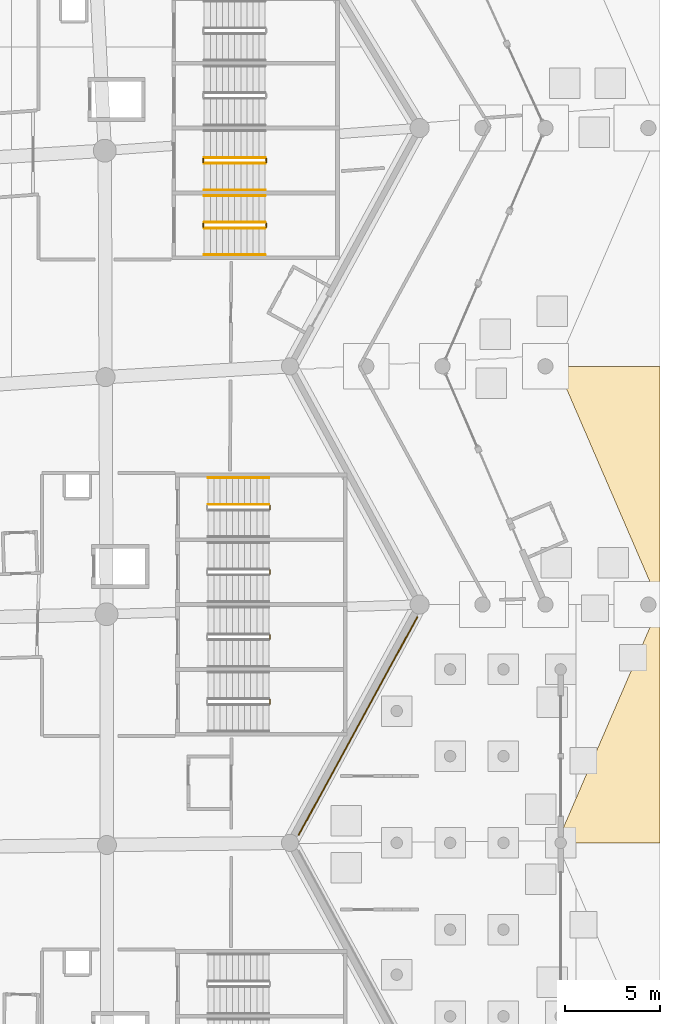
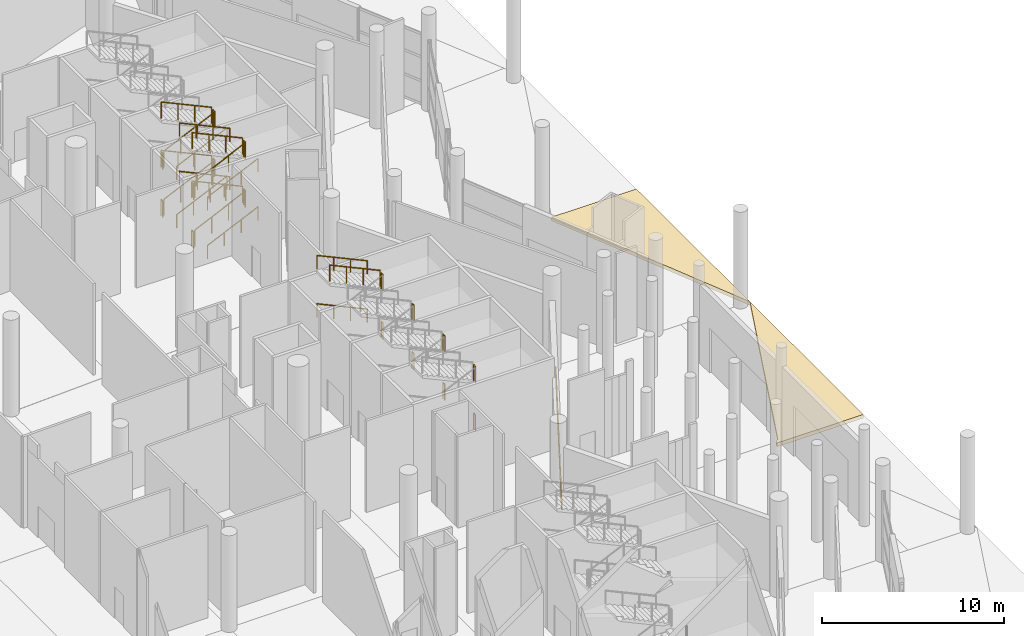
# One storey, part 243 of 255: 33 railings, 3 coverings.
"""IFC4 building model written with IfcOpenShell, lengths in metres."""

from ifc_helpers import new_model, si_unit, direction, frame, origin, origin_2d, place, context, subcontext, project, spatial, polyline, rectangle, circle, outline, extrude, material, layer, layer_set, type_object, element, save


model = new_model("IFC4")

# Units and contexts
model_context = context("Model", 3, precision=1e-05, world=origin(), true_north=direction((0.0, 1.0)))
body_context = subcontext(model_context, "Body", "Model", "MODEL_VIEW")
ifc_project = project(units=[si_unit("LENGTHUNIT", "METRE"), si_unit("AREAUNIT", "SQUARE_METRE"), si_unit("VOLUMEUNIT", "CUBIC_METRE"), si_unit("PLANEANGLEUNIT", "RADIAN"), si_unit("MASSUNIT", "GRAM", prefix="KILO")], contexts=[model_context])

# Site, building, storey
site_placement = place(None, origin())
site = spatial("IfcSite", under=ifc_project, at=site_placement, CompositionType="ELEMENT")
building_placement = place(site_placement, origin())
building = spatial("IfcBuilding", under=site, at=building_placement, Name="Meseta Stadium", CompositionType="ELEMENT")
storey_placement = place(building_placement, origin())
storey = spatial("IfcBuildingStorey", under=building, at=storey_placement, Name="L00", CompositionType="ELEMENT", Elevation=0.0)

# Coverings
ifc_material_1 = material(Name="Guadarrama granite cladding", Category="masonry")
ifc_layer_1 = layer(ifc_material_1, 0.06005859375)
ifc_layer_set_1 = layer_set([ifc_layer_1], Name="Granite plinth cladding 60")
covering_type_1 = type_object("IfcCoveringType", Name="Granite plinth cladding 60", PredefinedType="CLADDING", material=ifc_layer_set_1)
covering_1_placement = place(storey_placement, frame((98.168212890625, 12.380126953125, 0.0), z_axis=(0.0, 0.0, 1.0), x_axis=(-0.47786723231, -0.878432073802, 0.0)))
element("IfcCovering", 1, at=covering_1_placement, inside=storey, type_object=covering_type_1, Name="Granite plinth L00 F05", PredefinedType="CLADDING", context=body_context, shape_type="SweptSolid", body=[
    extrude(rectangle(XDim=13.040283203125, YDim=0.06005859375, at=origin_2d()), origin(), (0.0, 0.0, 1.0), 0.5),
])
ifc_material_2 = material(Name="Guadarrama granite paving on bedding", Category="masonry")
ifc_layer_2 = layer(ifc_material_2, 0.25)
ifc_layer_set_2 = layer_set([ifc_layer_2], Name="Ground paving 250")
covering_type_2 = type_object("IfcCoveringType", Name="Ground paving 250", PredefinedType="FLOORING", material=ifc_layer_set_2)
covering_2_placement = place(storey_placement, frame((0.0, 0.0, -0.25)))
element("IfcCovering", 2, at=covering_2_placement, inside=storey, type_object=covering_type_2, Name="Forecourt paving 37", PredefinedType="FLOORING", context=body_context, shape_type="SweptSolid", body=[
    extrude(outline(polyline([(108.497314453125, 6.25), (114.0, 6.25), (114.0, 18.75), (108.7265625, 6.54296875), (108.648681640625, 6.511962890625), (108.5859375, 6.464111328125), (108.5380859375, 6.4013671875), (108.5078125, 6.328369140625), (108.497314453125, 6.25)])), origin(), (0.0, 0.0, 1.0), 0.25),
])
covering_3_placement = place(storey_placement, frame((0.0, 0.0, -0.25)))
element("IfcCovering", 3, at=covering_3_placement, inside=storey, type_object=covering_type_2, Name="Forecourt paving 40", PredefinedType="FLOORING", context=body_context, shape_type="SweptSolid", body=[
    extrude(outline(polyline([(114.0, 18.75), (114.0, 31.25), (108.60009765625, 31.25), (114.0, 18.75)])), origin(), (0.0, 0.0, 1.0), 0.25),
])

# Railings
ifc_material_3 = material(Name="Steel S355", Category="steel")
railing_type_1 = type_object("IfcRailingType", Name="Stair guard 1100", PredefinedType="GUARDRAIL", material=ifc_material_3)
for number, where, name in (
    (4, (93.550048828125, 13.550048828125, 1.625), "ST13 L00 guard 2"),
    (5, (93.550048828125, 13.550048828125, 4.875), "ST13 L00 guard 6"),
    (6, (93.550048828125, 16.949951171875, 1.625), "ST14 L00 guard 2"),
    (7, (93.550048828125, 16.949951171875, 4.875), "ST14 L00 guard 6"),
    (8, (93.550048828125, 20.35009765625, 1.625), "ST15 L00 guard 2"),
    (9, (93.550048828125, 20.35009765625, 4.875), "ST15 L00 guard 6"),
    (10, (93.550048828125, 23.75, 1.625), "ST16 L00 guard 2"),
    (11, (93.550048828125, 23.75, 4.875), "ST16 L00 guard 6"),
):
    element("IfcRailing", number, at=place(storey_placement, frame(where)), inside=storey, type_object=railing_type_1, Name=name, PredefinedType="GUARDRAIL", context=body_context, shape_type="SweptSolid", body=[
        extrude(circle(Radius=0.02392578125, at=origin_2d()), frame((0.0, 0.0, 1.076171875), z_axis=(0.0, 1.0, 0.0), x_axis=(-1.0, 0.0, 0.0)), (0.0, 0.0, 1.0), 0.199951171875),
        extrude(circle(Radius=0.02099609375, at=origin_2d()), origin(), (0.0, 0.0, 1.0), 1.052001953125),
        extrude(circle(Radius=0.02099609375, at=origin_2d()), frame((0.0, 0.199951171875, 0.0)), (0.0, 0.0, 1.0), 1.052001953125),
    ])
railing_1_placement = place(storey_placement, frame((93.5, 24.0, 5.022705078125)))
element("IfcRailing", 12, at=railing_1_placement, inside=storey, type_object=railing_type_1, Name="ST16 L00 guard 7", PredefinedType="GUARDRAIL", context=body_context, shape_type="SweptSolid", body=[
    extrude(circle(Radius=0.02392578125, at=origin_2d()), frame((0.0, 0.0, 1.076171875), z_axis=(-0.907916804346, 0.0, 0.419150422148), x_axis=(0.0, -1.0, 0.0)), (0.0, 0.0, 1.0), 3.5244140625),
    extrude(circle(Radius=0.02099609375, at=origin_2d()), origin(), (0.0, 0.0, 1.0), 1.052001953125),
    extrude(circle(Radius=0.02099609375, at=origin_2d()), frame((-1.066650390625, 0.0, 0.492431640625)), (0.0, 0.0, 1.0), 1.052001953125),
    extrude(circle(Radius=0.02099609375, at=origin_2d()), frame((-2.13330078125, 0.0, 0.98486328125)), (0.0, 0.0, 1.0), 1.052001953125),
    extrude(circle(Radius=0.02099609375, at=origin_2d()), frame((-3.199951171875, 0.0, 1.477294921875)), (0.0, 0.0, 1.0), 1.052001953125),
])
railing_2_placement = place(storey_placement, frame((90.10009765625, 38.5, 0.147705078125)))
element("IfcRailing", 13, at=railing_2_placement, inside=storey, type_object=railing_type_1, Name="ST17 L00 guard 1", PredefinedType="GUARDRAIL", context=body_context, shape_type="SweptSolid", body=[
    extrude(circle(Radius=0.02392578125, at=origin_2d()), frame((0.0, 0.0, 1.076171875), z_axis=(0.907916804346, 0.0, 0.419150422148), x_axis=(0.0, 1.0, 0.0)), (0.0, 0.0, 1.0), 3.5244140625),
    extrude(circle(Radius=0.02099609375, at=origin_2d()), origin(), (0.0, 0.0, 1.0), 1.052001953125),
    extrude(circle(Radius=0.02099609375, at=origin_2d()), frame((1.066650390625, 0.0, 0.492431640625)), (0.0, 0.0, 1.0), 1.052001953125),
    extrude(circle(Radius=0.02099609375, at=origin_2d()), frame((2.13330078125, 0.0, 0.98486328125)), (0.0, 0.0, 1.0), 1.052001953125),
    extrude(circle(Radius=0.02099609375, at=origin_2d()), frame((3.199951171875, 0.0, 1.477294921875)), (0.0, 0.0, 1.0), 1.052001953125),
])
railing_3_placement = place(storey_placement, frame((93.35009765625, 38.550048828125, 1.625)))
element("IfcRailing", 14, at=railing_3_placement, inside=storey, type_object=railing_type_1, Name="ST17 L00 guard 2", PredefinedType="GUARDRAIL", context=body_context, shape_type="SweptSolid", body=[
    extrude(circle(Radius=0.02392578125, at=origin_2d()), frame((0.0, 0.0, 1.076171875), z_axis=(0.0, 1.0, 0.0), x_axis=(-1.0, 0.0, 0.0)), (0.0, 0.0, 1.0), 0.199951171875),
    extrude(circle(Radius=0.02099609375, at=origin_2d()), origin(), (0.0, 0.0, 1.0), 1.052001953125),
    extrude(circle(Radius=0.02099609375, at=origin_2d()), frame((0.0, 0.199951171875, 0.0)), (0.0, 0.0, 1.0), 1.052001953125),
])
railing_4_placement = place(storey_placement, frame((93.300048828125, 38.800048828125, 1.772705078125)))
element("IfcRailing", 15, at=railing_4_placement, inside=storey, type_object=railing_type_1, Name="ST17 L00 guard 3", PredefinedType="GUARDRAIL", context=body_context, shape_type="SweptSolid", body=[
    extrude(circle(Radius=0.02392578125, at=origin_2d()), frame((0.0, 0.0, 1.076171875), z_axis=(-0.907916804346, 0.0, 0.419150422148), x_axis=(0.0, -1.0, 0.0)), (0.0, 0.0, 1.0), 3.5244140625),
    extrude(circle(Radius=0.02099609375, at=origin_2d()), origin(), (0.0, 0.0, 1.0), 1.052001953125),
    extrude(circle(Radius=0.02099609375, at=origin_2d()), frame((-1.066650390625, 0.0, 0.492431640625)), (0.0, 0.0, 1.0), 1.052001953125),
    extrude(circle(Radius=0.02099609375, at=origin_2d()), frame((-2.13330078125, 0.0, 0.98486328125)), (0.0, 0.0, 1.0), 1.052001953125),
    extrude(circle(Radius=0.02099609375, at=origin_2d()), frame((-3.199951171875, 0.0, 1.477294921875)), (0.0, 0.0, 1.0), 1.052001953125),
])
railing_5_placement = place(storey_placement, frame((90.050048828125, 38.550048828125, 3.25)))
element("IfcRailing", 16, at=railing_5_placement, inside=storey, type_object=railing_type_1, Name="ST17 L00 guard 4", PredefinedType="GUARDRAIL", context=body_context, shape_type="SweptSolid", body=[
    extrude(circle(Radius=0.02392578125, at=origin_2d()), frame((0.0, 0.0, 1.076171875), z_axis=(0.0, 1.0, 0.0), x_axis=(-1.0, 0.0, 0.0)), (0.0, 0.0, 1.0), 0.199951171875),
    extrude(circle(Radius=0.02099609375, at=origin_2d()), origin(), (0.0, 0.0, 1.0), 1.052001953125),
    extrude(circle(Radius=0.02099609375, at=origin_2d()), frame((0.0, 0.199951171875, 0.0)), (0.0, 0.0, 1.0), 1.052001953125),
])
railing_6_placement = place(storey_placement, frame((90.10009765625, 38.5, 3.397705078125)))
element("IfcRailing", 17, at=railing_6_placement, inside=storey, type_object=railing_type_1, Name="ST17 L00 guard 5", PredefinedType="GUARDRAIL", context=body_context, shape_type="SweptSolid", body=[
    extrude(circle(Radius=0.02392578125, at=origin_2d()), frame((0.0, 0.0, 1.076171875), z_axis=(0.907916804346, 0.0, 0.419150422148), x_axis=(0.0, 1.0, 0.0)), (0.0, 0.0, 1.0), 3.5244140625),
    extrude(circle(Radius=0.02099609375, at=origin_2d()), origin(), (0.0, 0.0, 1.0), 1.052001953125),
    extrude(circle(Radius=0.02099609375, at=origin_2d()), frame((1.066650390625, 0.0, 0.492431640625)), (0.0, 0.0, 1.0), 1.052001953125),
    extrude(circle(Radius=0.02099609375, at=origin_2d()), frame((2.13330078125, 0.0, 0.98486328125)), (0.0, 0.0, 1.0), 1.052001953125),
    extrude(circle(Radius=0.02099609375, at=origin_2d()), frame((3.199951171875, 0.0, 1.477294921875)), (0.0, 0.0, 1.0), 1.052001953125),
])
railing_7_placement = place(storey_placement, frame((93.35009765625, 38.550048828125, 4.875)))
element("IfcRailing", 18, at=railing_7_placement, inside=storey, type_object=railing_type_1, Name="ST17 L00 guard 6", PredefinedType="GUARDRAIL", context=body_context, shape_type="SweptSolid", body=[
    extrude(circle(Radius=0.02392578125, at=origin_2d()), frame((0.0, 0.0, 1.076171875), z_axis=(0.0, 1.0, 0.0), x_axis=(-1.0, 0.0, 0.0)), (0.0, 0.0, 1.0), 0.199951171875),
    extrude(circle(Radius=0.02099609375, at=origin_2d()), origin(), (0.0, 0.0, 1.0), 1.052001953125),
    extrude(circle(Radius=0.02099609375, at=origin_2d()), frame((0.0, 0.199951171875, 0.0)), (0.0, 0.0, 1.0), 1.052001953125),
])
railing_8_placement = place(storey_placement, frame((93.300048828125, 38.800048828125, 5.022705078125)))
element("IfcRailing", 19, at=railing_8_placement, inside=storey, type_object=railing_type_1, Name="ST17 L00 guard 7", PredefinedType="GUARDRAIL", context=body_context, shape_type="SweptSolid", body=[
    extrude(circle(Radius=0.02392578125, at=origin_2d()), frame((0.0, 0.0, 1.076171875), z_axis=(-0.907916804346, 0.0, 0.419150422148), x_axis=(0.0, -1.0, 0.0)), (0.0, 0.0, 1.0), 3.5244140625),
    extrude(circle(Radius=0.02099609375, at=origin_2d()), origin(), (0.0, 0.0, 1.0), 1.052001953125),
    extrude(circle(Radius=0.02099609375, at=origin_2d()), frame((-1.066650390625, 0.0, 0.492431640625)), (0.0, 0.0, 1.0), 1.052001953125),
    extrude(circle(Radius=0.02099609375, at=origin_2d()), frame((-2.13330078125, 0.0, 0.98486328125)), (0.0, 0.0, 1.0), 1.052001953125),
    extrude(circle(Radius=0.02099609375, at=origin_2d()), frame((-3.199951171875, 0.0, 1.477294921875)), (0.0, 0.0, 1.0), 1.052001953125),
])
railing_9_placement = place(storey_placement, frame((90.050048828125, 38.550048828125, 0.0)))
element("IfcRailing", 20, at=railing_9_placement, inside=storey, type_object=railing_type_1, Name="ST17 L00 guard 8", PredefinedType="GUARDRAIL", context=body_context, shape_type="SweptSolid", body=[
    extrude(circle(Radius=0.02392578125, at=origin_2d()), frame((0.0, 0.0, 1.076171875), z_axis=(0.0, 1.0, 0.0), x_axis=(-1.0, 0.0, 0.0)), (0.0, 0.0, 1.0), 0.199951171875),
    extrude(circle(Radius=0.02099609375, at=origin_2d()), origin(), (0.0, 0.0, 1.0), 1.052001953125),
    extrude(circle(Radius=0.02099609375, at=origin_2d()), frame((0.0, 0.199951171875, 0.0)), (0.0, 0.0, 1.0), 1.052001953125),
])
railing_10_placement = place(storey_placement, frame((90.10009765625, 41.89990234375, 0.147705078125)))
element("IfcRailing", 21, at=railing_10_placement, inside=storey, type_object=railing_type_1, Name="ST18 L00 guard 1", PredefinedType="GUARDRAIL", context=body_context, shape_type="SweptSolid", body=[
    extrude(circle(Radius=0.02392578125, at=origin_2d()), frame((0.0, 0.0, 1.076171875), z_axis=(0.907916804346, 0.0, 0.419150422148), x_axis=(0.0, 1.0, 0.0)), (0.0, 0.0, 1.0), 3.5244140625),
    extrude(circle(Radius=0.02099609375, at=origin_2d()), origin(), (0.0, 0.0, 1.0), 1.052001953125),
    extrude(circle(Radius=0.02099609375, at=origin_2d()), frame((1.066650390625, 0.0, 0.492431640625)), (0.0, 0.0, 1.0), 1.052001953125),
    extrude(circle(Radius=0.02099609375, at=origin_2d()), frame((2.13330078125, 0.0, 0.98486328125)), (0.0, 0.0, 1.0), 1.052001953125),
    extrude(circle(Radius=0.02099609375, at=origin_2d()), frame((3.199951171875, 0.0, 1.477294921875)), (0.0, 0.0, 1.0), 1.052001953125),
])
railing_11_placement = place(storey_placement, frame((93.35009765625, 41.949951171875, 1.625)))
element("IfcRailing", 22, at=railing_11_placement, inside=storey, type_object=railing_type_1, Name="ST18 L00 guard 2", PredefinedType="GUARDRAIL", context=body_context, shape_type="SweptSolid", body=[
    extrude(circle(Radius=0.02392578125, at=origin_2d()), frame((0.0, 0.0, 1.076171875), z_axis=(0.0, 1.0, 0.0), x_axis=(-1.0, 0.0, 0.0)), (0.0, 0.0, 1.0), 0.199951171875),
    extrude(circle(Radius=0.02099609375, at=origin_2d()), origin(), (0.0, 0.0, 1.0), 1.052001953125),
    extrude(circle(Radius=0.02099609375, at=origin_2d()), frame((0.0, 0.199951171875, 0.0)), (0.0, 0.0, 1.0), 1.052001953125),
])
railing_12_placement = place(storey_placement, frame((93.300048828125, 42.199951171875, 1.772705078125)))
element("IfcRailing", 23, at=railing_12_placement, inside=storey, type_object=railing_type_1, Name="ST18 L00 guard 3", PredefinedType="GUARDRAIL", context=body_context, shape_type="SweptSolid", body=[
    extrude(circle(Radius=0.02392578125, at=origin_2d()), frame((0.0, 0.0, 1.076171875), z_axis=(-0.907916804346, 0.0, 0.419150422148), x_axis=(0.0, -1.0, 0.0)), (0.0, 0.0, 1.0), 3.5244140625),
    extrude(circle(Radius=0.02099609375, at=origin_2d()), origin(), (0.0, 0.0, 1.0), 1.052001953125),
    extrude(circle(Radius=0.02099609375, at=origin_2d()), frame((-1.066650390625, 0.0, 0.492431640625)), (0.0, 0.0, 1.0), 1.052001953125),
    extrude(circle(Radius=0.02099609375, at=origin_2d()), frame((-2.13330078125, 0.0, 0.98486328125)), (0.0, 0.0, 1.0), 1.052001953125),
    extrude(circle(Radius=0.02099609375, at=origin_2d()), frame((-3.199951171875, 0.0, 1.477294921875)), (0.0, 0.0, 1.0), 1.052001953125),
])
railing_13_placement = place(storey_placement, frame((90.050048828125, 41.949951171875, 3.25)))
element("IfcRailing", 24, at=railing_13_placement, inside=storey, type_object=railing_type_1, Name="ST18 L00 guard 4", PredefinedType="GUARDRAIL", context=body_context, shape_type="SweptSolid", body=[
    extrude(circle(Radius=0.02392578125, at=origin_2d()), frame((0.0, 0.0, 1.076171875), z_axis=(0.0, 1.0, 0.0), x_axis=(-1.0, 0.0, 0.0)), (0.0, 0.0, 1.0), 0.199951171875),
    extrude(circle(Radius=0.02099609375, at=origin_2d()), origin(), (0.0, 0.0, 1.0), 1.052001953125),
    extrude(circle(Radius=0.02099609375, at=origin_2d()), frame((0.0, 0.199951171875, 0.0)), (0.0, 0.0, 1.0), 1.052001953125),
])
railing_14_placement = place(storey_placement, frame((90.10009765625, 41.89990234375, 3.397705078125)))
element("IfcRailing", 25, at=railing_14_placement, inside=storey, type_object=railing_type_1, Name="ST18 L00 guard 5", PredefinedType="GUARDRAIL", context=body_context, shape_type="SweptSolid", body=[
    extrude(circle(Radius=0.02392578125, at=origin_2d()), frame((0.0, 0.0, 1.076171875), z_axis=(0.907916804346, 0.0, 0.419150422148), x_axis=(0.0, 1.0, 0.0)), (0.0, 0.0, 1.0), 3.5244140625),
    extrude(circle(Radius=0.02099609375, at=origin_2d()), origin(), (0.0, 0.0, 1.0), 1.052001953125),
    extrude(circle(Radius=0.02099609375, at=origin_2d()), frame((1.066650390625, 0.0, 0.492431640625)), (0.0, 0.0, 1.0), 1.052001953125),
    extrude(circle(Radius=0.02099609375, at=origin_2d()), frame((2.13330078125, 0.0, 0.98486328125)), (0.0, 0.0, 1.0), 1.052001953125),
    extrude(circle(Radius=0.02099609375, at=origin_2d()), frame((3.199951171875, 0.0, 1.477294921875)), (0.0, 0.0, 1.0), 1.052001953125),
])
railing_15_placement = place(storey_placement, frame((93.35009765625, 41.949951171875, 4.875)))
element("IfcRailing", 26, at=railing_15_placement, inside=storey, type_object=railing_type_1, Name="ST18 L00 guard 6", PredefinedType="GUARDRAIL", context=body_context, shape_type="SweptSolid", body=[
    extrude(circle(Radius=0.02392578125, at=origin_2d()), frame((0.0, 0.0, 1.076171875), z_axis=(0.0, 1.0, 0.0), x_axis=(-1.0, 0.0, 0.0)), (0.0, 0.0, 1.0), 0.199951171875),
    extrude(circle(Radius=0.02099609375, at=origin_2d()), origin(), (0.0, 0.0, 1.0), 1.052001953125),
    extrude(circle(Radius=0.02099609375, at=origin_2d()), frame((0.0, 0.199951171875, 0.0)), (0.0, 0.0, 1.0), 1.052001953125),
])
railing_16_placement = place(storey_placement, frame((93.300048828125, 42.199951171875, 5.022705078125)))
element("IfcRailing", 27, at=railing_16_placement, inside=storey, type_object=railing_type_1, Name="ST18 L00 guard 7", PredefinedType="GUARDRAIL", context=body_context, shape_type="SweptSolid", body=[
    extrude(circle(Radius=0.02392578125, at=origin_2d()), frame((0.0, 0.0, 1.076171875), z_axis=(-0.907916804346, 0.0, 0.419150422148), x_axis=(0.0, -1.0, 0.0)), (0.0, 0.0, 1.0), 3.5244140625),
    extrude(circle(Radius=0.02099609375, at=origin_2d()), origin(), (0.0, 0.0, 1.0), 1.052001953125),
    extrude(circle(Radius=0.02099609375, at=origin_2d()), frame((-1.066650390625, 0.0, 0.492431640625)), (0.0, 0.0, 1.0), 1.052001953125),
    extrude(circle(Radius=0.02099609375, at=origin_2d()), frame((-2.13330078125, 0.0, 0.98486328125)), (0.0, 0.0, 1.0), 1.052001953125),
    extrude(circle(Radius=0.02099609375, at=origin_2d()), frame((-3.199951171875, 0.0, 1.477294921875)), (0.0, 0.0, 1.0), 1.052001953125),
])
railing_17_placement = place(storey_placement, frame((90.050048828125, 41.949951171875, 0.0)))
element("IfcRailing", 28, at=railing_17_placement, inside=storey, type_object=railing_type_1, Name="ST18 L00 guard 8", PredefinedType="GUARDRAIL", context=body_context, shape_type="SweptSolid", body=[
    extrude(circle(Radius=0.02392578125, at=origin_2d()), frame((0.0, 0.0, 1.076171875), z_axis=(0.0, 1.0, 0.0), x_axis=(-1.0, 0.0, 0.0)), (0.0, 0.0, 1.0), 0.199951171875),
    extrude(circle(Radius=0.02099609375, at=origin_2d()), origin(), (0.0, 0.0, 1.0), 1.052001953125),
    extrude(circle(Radius=0.02099609375, at=origin_2d()), frame((0.0, 0.199951171875, 0.0)), (0.0, 0.0, 1.0), 1.052001953125),
])
ifc_material_4 = material(Name="Steel S355", Category="steel")
railing_type_2 = type_object("IfcRailingType", Name="Stair handrail 900", PredefinedType="HANDRAIL", material=ifc_material_4)
for number, where, name in (
    (29, (93.5, 25.39990234375, 1.772705078125), "ST16 L00 handrail 2"),
    (30, (93.5, 25.39990234375, 5.022705078125), "ST16 L00 handrail 4"),
):
    element("IfcRailing", number, at=place(storey_placement, frame(where)), inside=storey, type_object=railing_type_2, Name=name, PredefinedType="HANDRAIL", context=body_context, shape_type="SweptSolid", body=[
        extrude(circle(Radius=0.02392578125, at=origin_2d()), frame((0.0, 0.0, 0.8759765625), z_axis=(-0.907916804346, 0.0, 0.419150422148), x_axis=(0.0, -1.0, 0.0)), (0.0, 0.0, 1.0), 3.5244140625),
        extrude(circle(Radius=0.02099609375, at=origin_2d()), origin(), (0.0, 0.0, 1.0), 0.851806640625),
        extrude(circle(Radius=0.02099609375, at=origin_2d()), frame((-1.066650390625, 0.0, 0.492431640625)), (0.0, 0.0, 1.0), 0.851806640625),
        extrude(circle(Radius=0.02099609375, at=origin_2d()), frame((-2.13330078125, 0.0, 0.98486328125)), (0.0, 0.0, 1.0), 0.851806640625),
        extrude(circle(Radius=0.02099609375, at=origin_2d()), frame((-3.199951171875, 0.0, 1.477294921875)), (0.0, 0.0, 1.0), 0.851806640625),
    ])
railing_18_placement = place(storey_placement, frame((90.10009765625, 37.10009765625, 0.147705078125)))
element("IfcRailing", 31, at=railing_18_placement, inside=storey, type_object=railing_type_2, Name="ST17 L00 handrail 1", PredefinedType="HANDRAIL", context=body_context, shape_type="SweptSolid", body=[
    extrude(circle(Radius=0.02392578125, at=origin_2d()), frame((0.0, 0.0, 0.8759765625), z_axis=(0.907916804346, 0.0, 0.419150422148), x_axis=(0.0, 1.0, 0.0)), (0.0, 0.0, 1.0), 3.5244140625),
    extrude(circle(Radius=0.02099609375, at=origin_2d()), origin(), (0.0, 0.0, 1.0), 0.851806640625),
    extrude(circle(Radius=0.02099609375, at=origin_2d()), frame((1.066650390625, 0.0, 0.492431640625)), (0.0, 0.0, 1.0), 0.851806640625),
    extrude(circle(Radius=0.02099609375, at=origin_2d()), frame((2.13330078125, 0.0, 0.98486328125)), (0.0, 0.0, 1.0), 0.851806640625),
    extrude(circle(Radius=0.02099609375, at=origin_2d()), frame((3.199951171875, 0.0, 1.477294921875)), (0.0, 0.0, 1.0), 0.851806640625),
])
railing_19_placement = place(storey_placement, frame((93.300048828125, 40.199951171875, 1.772705078125)))
element("IfcRailing", 32, at=railing_19_placement, inside=storey, type_object=railing_type_2, Name="ST17 L00 handrail 2", PredefinedType="HANDRAIL", context=body_context, shape_type="SweptSolid", body=[
    extrude(circle(Radius=0.02392578125, at=origin_2d()), frame((0.0, 0.0, 0.8759765625), z_axis=(-0.907916804346, 0.0, 0.419150422148), x_axis=(0.0, -1.0, 0.0)), (0.0, 0.0, 1.0), 3.5244140625),
    extrude(circle(Radius=0.02099609375, at=origin_2d()), origin(), (0.0, 0.0, 1.0), 0.851806640625),
    extrude(circle(Radius=0.02099609375, at=origin_2d()), frame((-1.066650390625, 0.0, 0.492431640625)), (0.0, 0.0, 1.0), 0.851806640625),
    extrude(circle(Radius=0.02099609375, at=origin_2d()), frame((-2.13330078125, 0.0, 0.98486328125)), (0.0, 0.0, 1.0), 0.851806640625),
    extrude(circle(Radius=0.02099609375, at=origin_2d()), frame((-3.199951171875, 0.0, 1.477294921875)), (0.0, 0.0, 1.0), 0.851806640625),
])
railing_20_placement = place(storey_placement, frame((90.10009765625, 37.10009765625, 3.397705078125)))
element("IfcRailing", 33, at=railing_20_placement, inside=storey, type_object=railing_type_2, Name="ST17 L00 handrail 3", PredefinedType="HANDRAIL", context=body_context, shape_type="SweptSolid", body=[
    extrude(circle(Radius=0.02392578125, at=origin_2d()), frame((0.0, 0.0, 0.8759765625), z_axis=(0.907916804346, 0.0, 0.419150422148), x_axis=(0.0, 1.0, 0.0)), (0.0, 0.0, 1.0), 3.5244140625),
    extrude(circle(Radius=0.02099609375, at=origin_2d()), origin(), (0.0, 0.0, 1.0), 0.851806640625),
    extrude(circle(Radius=0.02099609375, at=origin_2d()), frame((1.066650390625, 0.0, 0.492431640625)), (0.0, 0.0, 1.0), 0.851806640625),
    extrude(circle(Radius=0.02099609375, at=origin_2d()), frame((2.13330078125, 0.0, 0.98486328125)), (0.0, 0.0, 1.0), 0.851806640625),
    extrude(circle(Radius=0.02099609375, at=origin_2d()), frame((3.199951171875, 0.0, 1.477294921875)), (0.0, 0.0, 1.0), 0.851806640625),
])
railing_21_placement = place(storey_placement, frame((93.300048828125, 40.199951171875, 5.022705078125)))
element("IfcRailing", 34, at=railing_21_placement, inside=storey, type_object=railing_type_2, Name="ST17 L00 handrail 4", PredefinedType="HANDRAIL", context=body_context, shape_type="SweptSolid", body=[
    extrude(circle(Radius=0.02392578125, at=origin_2d()), frame((0.0, 0.0, 0.8759765625), z_axis=(-0.907916804346, 0.0, 0.419150422148), x_axis=(0.0, -1.0, 0.0)), (0.0, 0.0, 1.0), 3.5244140625),
    extrude(circle(Radius=0.02099609375, at=origin_2d()), origin(), (0.0, 0.0, 1.0), 0.851806640625),
    extrude(circle(Radius=0.02099609375, at=origin_2d()), frame((-1.066650390625, 0.0, 0.492431640625)), (0.0, 0.0, 1.0), 0.851806640625),
    extrude(circle(Radius=0.02099609375, at=origin_2d()), frame((-2.13330078125, 0.0, 0.98486328125)), (0.0, 0.0, 1.0), 0.851806640625),
    extrude(circle(Radius=0.02099609375, at=origin_2d()), frame((-3.199951171875, 0.0, 1.477294921875)), (0.0, 0.0, 1.0), 0.851806640625),
])
for number, where, name in (
    (35, (90.10009765625, 40.5, 0.147705078125), "ST18 L00 handrail 1"),
    (36, (90.10009765625, 40.5, 3.397705078125), "ST18 L00 handrail 3"),
):
    element("IfcRailing", number, at=place(storey_placement, frame(where)), inside=storey, type_object=railing_type_2, Name=name, PredefinedType="HANDRAIL", context=body_context, shape_type="SweptSolid", body=[
        extrude(circle(Radius=0.02392578125, at=origin_2d()), frame((0.0, 0.0, 0.8759765625), z_axis=(0.907916804346, 0.0, 0.419150422148), x_axis=(0.0, 1.0, 0.0)), (0.0, 0.0, 1.0), 3.5244140625),
        extrude(circle(Radius=0.02099609375, at=origin_2d()), origin(), (0.0, 0.0, 1.0), 0.851806640625),
        extrude(circle(Radius=0.02099609375, at=origin_2d()), frame((1.066650390625, 0.0, 0.492431640625)), (0.0, 0.0, 1.0), 0.851806640625),
        extrude(circle(Radius=0.02099609375, at=origin_2d()), frame((2.13330078125, 0.0, 0.98486328125)), (0.0, 0.0, 1.0), 0.851806640625),
        extrude(circle(Radius=0.02099609375, at=origin_2d()), frame((3.199951171875, 0.0, 1.477294921875)), (0.0, 0.0, 1.0), 0.851806640625),
    ])

save(model, "model.ifc")
